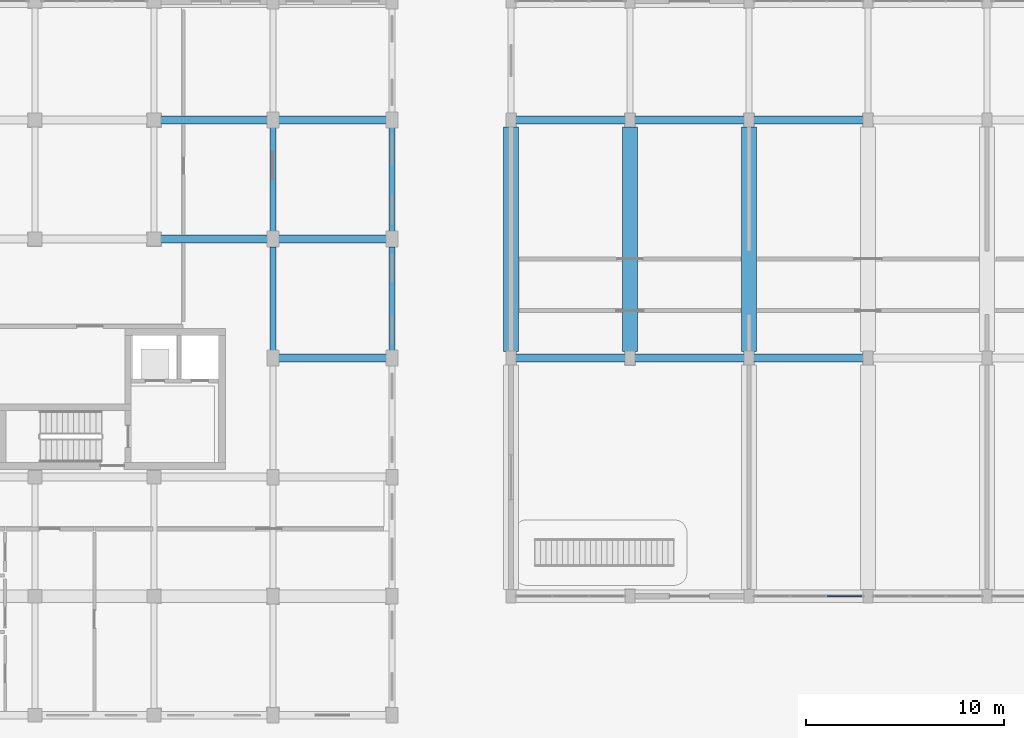
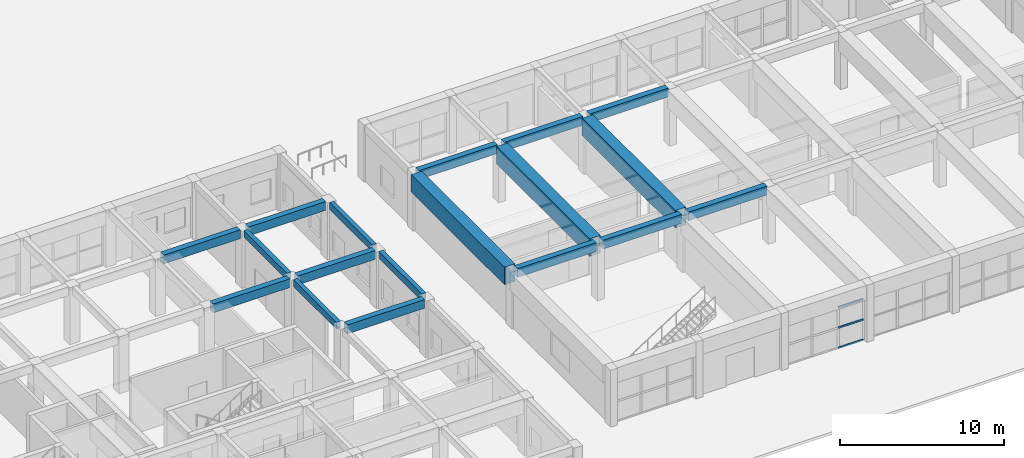
# One storey, part 31 of 76: 18 beams, 3 members, 1 element without a shape of its own.
"""IFC4 building model written with IfcOpenShell, lengths in metres."""

from ifc_helpers import new_model, si_unit, direction, frame, origin, origin_2d, place, context, subcontext, project, spatial, rectangle, extrude, material, layer, layer_set, material_profile, profile_set, type_object, element, aggregate, save


model = new_model("IFC4")

# Units and contexts
model_context = context("Model", 3, precision=1e-05, world=origin(), true_north=direction((0.0, 1.0)))
body_context = subcontext(model_context, "Body", "Model", "MODEL_VIEW")
ifc_project = project(units=[si_unit("LENGTHUNIT", "METRE"), si_unit("AREAUNIT", "SQUARE_METRE"), si_unit("VOLUMEUNIT", "CUBIC_METRE"), si_unit("PLANEANGLEUNIT", "RADIAN"), si_unit("MASSUNIT", "GRAM", prefix="KILO"), si_unit("POWERUNIT", "WATT"), si_unit("THERMODYNAMICTEMPERATUREUNIT", "KELVIN")], contexts=[model_context])

# Site, building, storey
site_placement = place(None, origin())
site = spatial("IfcSite", under=ifc_project, at=site_placement, CompositionType="ELEMENT")
building_placement = place(site_placement, origin())
building = spatial("IfcBuilding", under=site, at=building_placement, Name="Ruvembo Vaulted Housing Court", CompositionType="ELEMENT")
storey_placement = place(building_placement, origin())
storey = spatial("IfcBuildingStorey", under=building, at=storey_placement, Name="L00", CompositionType="ELEMENT", Elevation=0.0)

# Beams
ifc_material_1 = material(Name="Concrete C35/45", Category="concrete")
ifc_material_profile_1 = material_profile(ifc_material_1, rectangle(XDim=0.39990234375, YDim=0.64990234375, at=origin_2d()), Name="RC 400x650")
ifc_profile_set_1 = profile_set([ifc_material_profile_1], Name="Concrete C35/45")
beam_type_1 = type_object("IfcBeamType", Name="BM-RC-400x650", PredefinedType="BEAM", material=ifc_profile_set_1)
beam_1_placement = place(storey_placement, frame((132.284912109375, 18.0, 3.905029296875), z_axis=(1.0, 0.0, 0.0), x_axis=(0.0, 1.0, 0.0)))
element("IfcBeam", 1, at=beam_1_placement, inside=storey, type_object=beam_type_1, Name="L00 Grid Beam X #777", PredefinedType="BEAM", context=body_context, shape_type="SweptSolid", body=[
    extrude(rectangle(XDim=0.39990234375, YDim=0.64990234375, at=origin_2d()), origin(), (0.0, 0.0, 1.0), 5.43017578125),
])
for number, where, z_axis, x_axis, name in (
    (2, (144.235107421875, 18.0, 3.905029296875), (1.0, 0.0, 0.0), (0.0, 1.0, 0.0), "L00 Grid Beam X #778"),
    (3, (150.235107421875, 18.0, 3.905029296875), (1.0, 0.0, 0.0), (0.0, 1.0, 0.0), "L00 Grid Beam X #779"),
    (4, (156.235107421875, 18.0, 3.905029296875), (1.0, 0.0, 0.0), (0.0, 1.0, 0.0), "L00 Grid Beam X #780"),
):
    element("IfcBeam", number, at=place(storey_placement, frame(where, z_axis=z_axis, x_axis=x_axis)), inside=storey, type_object=beam_type_1, Name=name, PredefinedType="BEAM", context=body_context, shape_type="SweptSolid", body=[
        extrude(rectangle(XDim=0.39990234375, YDim=0.64990234375, at=origin_2d()), origin(), (0.0, 0.0, 1.0), 5.52978515625),
    ])
beam_2_placement = place(storey_placement, frame((126.3349609375, 24.0, 3.905029296875), z_axis=(1.0, 0.0, 0.0), x_axis=(0.0, 1.0, 0.0)))
element("IfcBeam", 5, at=beam_2_placement, inside=storey, type_object=beam_type_1, Name="L00 Grid Beam X #790", PredefinedType="BEAM", context=body_context, shape_type="SweptSolid", body=[
    extrude(rectangle(XDim=0.39990234375, YDim=0.64990234375, at=origin_2d()), origin(), (0.0, 0.0, 1.0), 5.380126953125),
])
beam_3_placement = place(storey_placement, frame((132.284912109375, 24.0, 3.905029296875), z_axis=(1.0, 0.0, 0.0), x_axis=(0.0, 1.0, 0.0)))
element("IfcBeam", 6, at=beam_3_placement, inside=storey, type_object=beam_type_1, Name="L00 Grid Beam X #791", PredefinedType="BEAM", context=body_context, shape_type="SweptSolid", body=[
    extrude(rectangle(XDim=0.39990234375, YDim=0.64990234375, at=origin_2d()), origin(), (0.0, 0.0, 1.0), 5.43017578125),
])
beam_4_placement = place(storey_placement, frame((126.3349609375, 30.0, 3.905029296875), z_axis=(1.0, 0.0, 0.0), x_axis=(0.0, 1.0, 0.0)))
element("IfcBeam", 7, at=beam_4_placement, inside=storey, type_object=beam_type_1, Name="L00 Grid Beam X #802", PredefinedType="BEAM", context=body_context, shape_type="SweptSolid", body=[
    extrude(rectangle(XDim=0.39990234375, YDim=0.64990234375, at=origin_2d()), origin(), (0.0, 0.0, 1.0), 5.380126953125),
])
beam_5_placement = place(storey_placement, frame((132.284912109375, 30.0, 3.905029296875), z_axis=(1.0, 0.0, 0.0), x_axis=(0.0, 1.0, 0.0)))
element("IfcBeam", 8, at=beam_5_placement, inside=storey, type_object=beam_type_1, Name="L00 Grid Beam X #803", PredefinedType="BEAM", context=body_context, shape_type="SweptSolid", body=[
    extrude(rectangle(XDim=0.39990234375, YDim=0.64990234375, at=origin_2d()), origin(), (0.0, 0.0, 1.0), 5.43017578125),
])
for number, where, z_axis, x_axis, name in (
    (9, (144.235107421875, 30.0, 3.905029296875), (1.0, 0.0, 0.0), (0.0, 1.0, 0.0), "L00 Grid Beam X #804"),
    (10, (150.235107421875, 30.0, 3.905029296875), (1.0, 0.0, 0.0), (0.0, 1.0, 0.0), "L00 Grid Beam X #805"),
    (11, (156.235107421875, 30.0, 3.905029296875), (1.0, 0.0, 0.0), (0.0, 1.0, 0.0), "L00 Grid Beam X #806"),
):
    element("IfcBeam", number, at=place(storey_placement, frame(where, z_axis=z_axis, x_axis=x_axis)), inside=storey, type_object=beam_type_1, Name=name, PredefinedType="BEAM", context=body_context, shape_type="SweptSolid", body=[
        extrude(rectangle(XDim=0.39990234375, YDim=0.64990234375, at=origin_2d()), origin(), (0.0, 0.0, 1.0), 5.52978515625),
    ])

# Curtain wall, members
ifc_material_2 = material(Name="Anodised Aluminium and Solar-Control Glass", Category="aluminium")
ifc_layer = layer(ifc_material_2, 0.159912109375, Name="Anodised Aluminium and Solar-Control Glass")
ifc_layer_set = layer_set([ifc_layer], Name="Anodised Aluminium and Solar-Control Glass")
curtain_wall_type = type_object("IfcCurtainWallType", Name="CW-SHOPFRONT-S", PredefinedType="NOTDEFINED", material=ifc_layer_set)
curtain_wall_placement = place(storey_placement, origin())
curtain_wall = element("IfcCurtainWall", 12, at=curtain_wall_placement, inside=storey, type_object=curtain_wall_type, Name="L00 Curtain Wall CW-L00-0145", PredefinedType="NOTDEFINED")
ifc_material_3 = material(Name="Anodised Aluminium 6063-T6", Category="aluminium")
ifc_material_profile_2 = material_profile(ifc_material_3, rectangle(XDim=0.06494140625, YDim=0.135009765625, at=origin_2d()), Name="ALU 65x135")
ifc_profile_set_2 = profile_set([ifc_material_profile_2], Name="Anodised Aluminium 6063-T6")
member_type = type_object("IfcMemberType", Name="CW-TRN-65x135", PredefinedType="USERDEFINED", material=ifc_profile_set_2)
member_1_placement = place(storey_placement, frame((159.94677734375, 6.0, 0.032470703125), z_axis=(1.0, 0.0, 0.0), x_axis=(0.0, 1.0, 0.0)))
member_1 = element("IfcMember", 13, at=member_1_placement, type_object=member_type, Name="CW3 transom 3.1", ObjectType="TRANSOM", PredefinedType="USERDEFINED", context=body_context, shape_type="SweptSolid", body=[
    extrude(rectangle(XDim=0.06494140625, YDim=0.135009765625, at=origin_2d()), origin(), (0.0, 0.0, 1.0), 1.7431640625),
])
member_2_placement = place(storey_placement, frame((159.94677734375, 6.0, 1.531005859375), z_axis=(1.0, 0.0, 0.0), x_axis=(0.0, 1.0, 0.0)))
member_2 = element("IfcMember", 14, at=member_2_placement, type_object=member_type, Name="CW3 transom 3.2", ObjectType="TRANSOM", PredefinedType="USERDEFINED", context=body_context, shape_type="SweptSolid", body=[
    extrude(rectangle(XDim=0.06494140625, YDim=0.135009765625, at=origin_2d()), origin(), (0.0, 0.0, 1.0), 1.7431640625),
])
member_3_placement = place(storey_placement, frame((159.94677734375, 6.0, 3.029541015625), z_axis=(1.0, 0.0, 0.0), x_axis=(0.0, 1.0, 0.0)))
member_3 = element("IfcMember", 15, at=member_3_placement, type_object=member_type, Name="CW3 transom 3.3", ObjectType="TRANSOM", PredefinedType="USERDEFINED", context=body_context, shape_type="SweptSolid", body=[
    extrude(rectangle(XDim=0.06494140625, YDim=0.135009765625, at=origin_2d()), origin(), (0.0, 0.0, 1.0), 1.7431640625),
])
aggregate(curtain_wall, [member_1, member_2, member_3])

# Beams
ifc_material_profile_3 = material_profile(ifc_material_1, rectangle(XDim=0.300048828125, YDim=0.5, at=origin_2d()), Name="RC 300x500")
ifc_profile_set_3 = profile_set([ifc_material_profile_3], Name="Concrete C35/45")
beam_type_2 = type_object("IfcBeamType", Name="SP-RC-300x500", PredefinedType="SPANDREL", material=ifc_profile_set_3)
for number, where, z_axis, x_axis, name in (
    (16, (132.0, 18.385009765625, 3.97998046875), (0.0, 1.0, 0.0), (-1.0, 0.0, 0.0), "L00 Grid Beam Y #1065"),
    (17, (132.0, 24.385009765625, 3.97998046875), (0.0, 1.0, 0.0), (-1.0, 0.0, 0.0), "L00 Grid Beam Y #1066"),
    (18, (138.0, 18.385009765625, 3.97998046875), (0.0, 1.0, 0.0), (-1.0, 0.0, 0.0), "L00 Grid Beam Y #1071"),
    (19, (138.0, 24.385009765625, 3.97998046875), (0.0, 1.0, 0.0), (-1.0, 0.0, 0.0), "L00 Grid Beam Y #1072"),
):
    element("IfcBeam", number, at=place(storey_placement, frame(where, z_axis=z_axis, x_axis=x_axis)), inside=storey, type_object=beam_type_2, Name=name, PredefinedType="SPANDREL", context=body_context, shape_type="SweptSolid", body=[
        extrude(rectangle(XDim=0.300048828125, YDim=0.5, at=origin_2d()), origin(), (0.0, 0.0, 1.0), 5.22998046875),
    ])
ifc_material_4 = material(Name="Concrete C40/50", Category="concrete")
ifc_material_profile_4 = material_profile(ifc_material_4, rectangle(XDim=0.75, YDim=1.300048828125, at=origin_2d()), Name="RC 750x1300")
ifc_profile_set_4 = profile_set([ifc_material_profile_4], Name="Concrete C40/50")
beam_type_3 = type_object("IfcBeamType", Name="TB-RC-750x1300", PredefinedType="BEAM", material=ifc_profile_set_4)
for number, where, z_axis, x_axis, name in (
    (20, (144.0, 18.3349609375, 3.580078125), (0.0, 1.0, 0.0), (-1.0, 0.0, 0.0), "L00 Grid Beam Y #1075"),
    (21, (150.0, 18.3349609375, 3.580078125), (0.0, 1.0, 0.0), (-1.0, 0.0, 0.0), "L00 Grid Beam Y #1077"),
    (22, (156.0, 18.3349609375, 3.580078125), (0.0, 1.0, 0.0), (-1.0, 0.0, 0.0), "L00 Grid Beam Y #1086"),
):
    element("IfcBeam", number, at=place(storey_placement, frame(where, z_axis=z_axis, x_axis=x_axis)), inside=storey, type_object=beam_type_3, Name=name, PredefinedType="BEAM", context=body_context, shape_type="SweptSolid", body=[
        extrude(rectangle(XDim=0.75, YDim=1.300048828125, at=origin_2d()), origin(), (0.0, 0.0, 1.0), 11.330078125),
    ])

save(model, "model.ifc")
